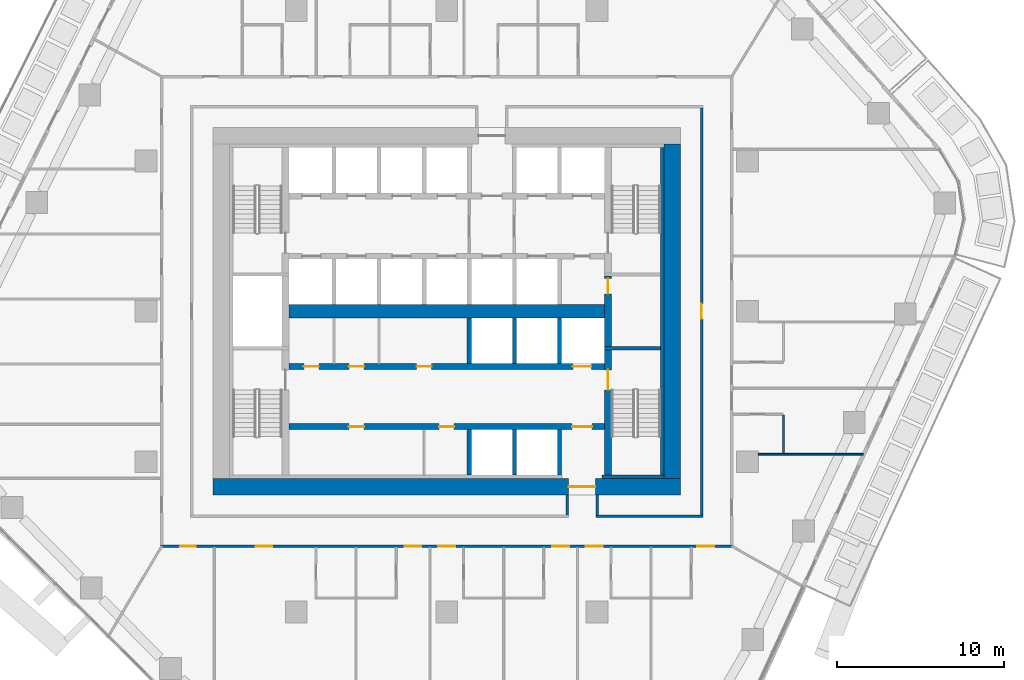
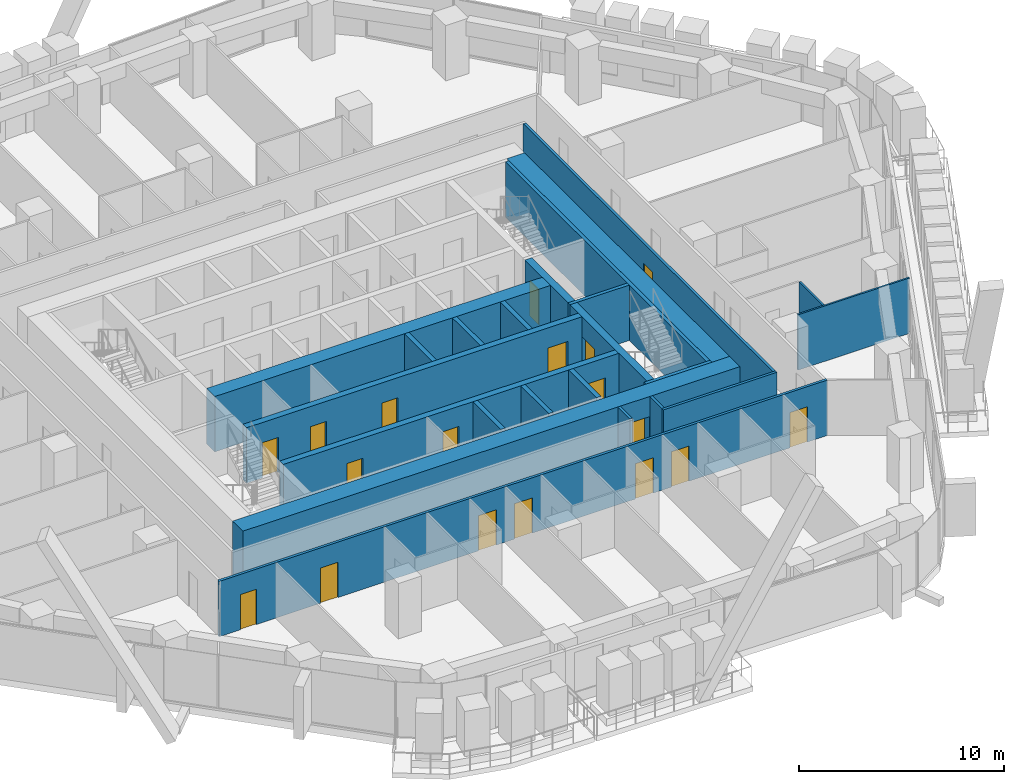
# One storey, part 13 of 25: 23 walls, 18 doors, 18 openings.
"""IFC4 building model written with IfcOpenShell, lengths in metres."""

from ifc_helpers import new_model, si_unit, direction, frame, frame_2d, origin, place, context, subcontext, project, spatial, rectangle, extrude, material, layer, layer_set, type_object, element, fill, save


model = new_model("IFC4")

# Units and contexts
model_context = context("Model", 3, precision=1e-05, world=origin(), true_north=direction((0.0, 1.0)))
body_context = subcontext(model_context, "Body", "Model", "MODEL_VIEW")
ifc_project = project(units=[si_unit("LENGTHUNIT", "METRE"), si_unit("AREAUNIT", "SQUARE_METRE"), si_unit("VOLUMEUNIT", "CUBIC_METRE"), si_unit("PLANEANGLEUNIT", "RADIAN"), si_unit("MASSUNIT", "GRAM", prefix="KILO")], contexts=[model_context])

# Site, building, storey
site_placement = place(None, origin())
site = spatial("IfcSite", under=ifc_project, at=site_placement, CompositionType="ELEMENT")
building_placement = place(site_placement, origin())
building = spatial("IfcBuilding", under=site, at=building_placement, Name="Dongbaek Canopy Tower", CompositionType="ELEMENT")
storey_placement = place(building_placement, frame((0.0, 0.0, 102.60009765625)))
storey = spatial("IfcBuildingStorey", under=building, at=storey_placement, Name="L21", CompositionType="ELEMENT", Elevation=102.60009765625)

# Wall
ifc_material_1 = material(Name="Concrete C60/75", Category="concrete")
ifc_layer_1 = layer(ifc_material_1, 0.800048828125)
ifc_layer_set_1 = layer_set([ifc_layer_1], Name="Core central wall 800 Concrete C60/75")
wall_type_1 = type_object("IfcWallType", Name="Core central wall 800 Concrete C60/75", PredefinedType="SHEAR", material=ifc_layer_set_1)
wall_1_placement = place(storey_placement, frame((-9.449951171875, 0.0, 0.0), z_axis=(0.0, 0.0, 1.0), x_axis=(1.0, 0.0, 0.0)))
element("IfcWall", 1, at=wall_1_placement, inside=storey, type_object=wall_type_1, Name="Core wall", PredefinedType="SHEAR", context=body_context, shape_type="SweptSolid", body=[
    extrude(rectangle(XDim=18.89990234375, YDim=0.800048828125, at=frame_2d((9.449951171875, 0.0))), origin(), (0.0, 0.0, 1.0), 3.2998046875),
])

# Wall, openings, doors
ifc_material_2 = material(Name="Concrete C60/75", Category="concrete")
ifc_layer_2 = layer(ifc_material_2, 0.35009765625)
ifc_layer_set_2 = layer_set([ifc_layer_2], Name="Core lobby wall 350 Concrete C60/75")
wall_type_2 = type_object("IfcWallType", Name="Core lobby wall 350 Concrete C60/75", PredefinedType="SHEAR", material=ifc_layer_set_2)
wall_2_placement = place(storey_placement, frame((-9.449951171875, -3.300048828125, 0.0), z_axis=(0.0, 0.0, 1.0), x_axis=(1.0, 0.0, 0.0)))
wall_2 = element("IfcWall", 2, at=wall_2_placement, inside=storey, type_object=wall_type_2, Name="Core wall", PredefinedType="SHEAR", context=body_context, shape_type="SweptSolid", body=[
    extrude(rectangle(XDim=18.89990234375, YDim=0.35009765625, at=frame_2d((9.449951171875, 0.0))), origin(), (0.0, 0.0, 1.0), 3.2998046875),
])
opening_1_placement = place(wall_2_placement, frame((17.0, 0.0, 0.0)))
opening_1 = element("IfcOpeningElement", 3, at=opening_1_placement, cuts=wall_2, Name="Opening L21-D057", PredefinedType="OPENING", context=body_context, shape_type="SweptSolid", body=[
    extrude(rectangle(XDim=1.10009765625, YDim=2.10009765625, at=frame_2d((0.550048828125, 1.050048828125))), frame((0.0, 0.18505859375, 0.0), z_axis=(0.0, -1.0, 0.0), x_axis=(1.0, 0.0, 0.0)), (0.0, 0.0, 1.0), 0.3701171875),
])
opening_2_placement = place(wall_2_placement, frame((0.89990234375, 0.0, 0.0)))
opening_2 = element("IfcOpeningElement", 4, at=opening_2_placement, cuts=wall_2, Name="Opening L21-D060", PredefinedType="OPENING", context=body_context, shape_type="SweptSolid", body=[
    extrude(rectangle(XDim=0.89990234375, YDim=2.10009765625, at=frame_2d((0.449951171875, 1.050048828125))), frame((0.0, 0.18505859375, 0.0), z_axis=(0.0, -1.0, 0.0), x_axis=(1.0, 0.0, 0.0)), (0.0, 0.0, 1.0), 0.3701171875),
])
opening_3_placement = place(wall_2_placement, frame((3.60009765625, 0.0, 0.0)))
opening_3 = element("IfcOpeningElement", 5, at=opening_3_placement, cuts=wall_2, Name="Opening L21-D061", PredefinedType="OPENING", context=body_context, shape_type="SweptSolid", body=[
    extrude(rectangle(XDim=0.89990234375, YDim=2.10009765625, at=frame_2d((0.449951171875, 1.050048828125))), frame((0.0, 0.18505859375, 0.0), z_axis=(0.0, -1.0, 0.0), x_axis=(1.0, 0.0, 0.0)), (0.0, 0.0, 1.0), 0.3701171875),
])
opening_4_placement = place(wall_2_placement, frame((7.64990234375, 0.0, 0.0)))
opening_4 = element("IfcOpeningElement", 6, at=opening_4_placement, cuts=wall_2, Name="Opening L21-D062", PredefinedType="OPENING", context=body_context, shape_type="SweptSolid", body=[
    extrude(rectangle(XDim=0.89990234375, YDim=2.10009765625, at=frame_2d((0.449951171875, 1.050048828125))), frame((0.0, 0.18505859375, 0.0), z_axis=(0.0, -1.0, 0.0), x_axis=(1.0, 0.0, 0.0)), (0.0, 0.0, 1.0), 0.3701171875),
])
ifc_material_3 = material(Name="Steel", Category="steel")
door_type_1 = type_object("IfcDoorType", Name="Core room door 900 x 2100", OperationType="SINGLE_SWING_LEFT", PredefinedType="DOOR", material=ifc_material_3)
door_1_placement = place(opening_2_placement, origin())
door_1 = element("IfcDoor", 7, at=door_1_placement, inside=storey, type_object=door_type_1, Name="Door L21-D060", OperationType="SINGLE_SWING_RIGHT", OverallHeight=2.10009765625, OverallWidth=0.89990234375, PredefinedType="DOOR", context=body_context, shape_type="SweptSolid", body=[
    extrude(rectangle(XDim=0.89990234375, YDim=2.10009765625, at=frame_2d((0.449951171875, 1.050048828125))), frame((0.0, 0.02490234375, 0.0), z_axis=(0.0, -1.0, 0.0), x_axis=(1.0, 0.0, 0.0)), (0.0, 0.0, 1.0), 0.050048828125),
])
fill(opening_2, door_1)
door_2_placement = place(opening_3_placement, origin())
door_2 = element("IfcDoor", 8, at=door_2_placement, inside=storey, type_object=door_type_1, Name="Door L21-D061", OperationType="SINGLE_SWING_LEFT", OverallHeight=2.10009765625, OverallWidth=0.89990234375, PredefinedType="DOOR", context=body_context, shape_type="SweptSolid", body=[
    extrude(rectangle(XDim=0.89990234375, YDim=2.10009765625, at=frame_2d((0.449951171875, 1.050048828125))), frame((0.0, 0.02490234375, 0.0), z_axis=(0.0, -1.0, 0.0), x_axis=(1.0, 0.0, 0.0)), (0.0, 0.0, 1.0), 0.050048828125),
])
fill(opening_3, door_2)
door_3_placement = place(opening_4_placement, origin())
door_3 = element("IfcDoor", 9, at=door_3_placement, inside=storey, type_object=door_type_1, Name="Door L21-D062", OperationType="SINGLE_SWING_RIGHT", OverallHeight=2.10009765625, OverallWidth=0.89990234375, PredefinedType="DOOR", context=body_context, shape_type="SweptSolid", body=[
    extrude(rectangle(XDim=0.89990234375, YDim=2.10009765625, at=frame_2d((0.449951171875, 1.050048828125))), frame((0.0, 0.02490234375, 0.0), z_axis=(0.0, -1.0, 0.0), x_axis=(1.0, 0.0, 0.0)), (0.0, 0.0, 1.0), 0.050048828125),
])
fill(opening_4, door_3)
ifc_material_4 = material(Name="Stainless steel", Category="steel")
door_type_2 = type_object("IfcDoorType", Name="Lift landing door 1100 x 2100", OperationType="DOUBLE_DOOR_SLIDING", PredefinedType="DOOR", material=ifc_material_4)
door_4_placement = place(opening_1_placement, origin())
door_4 = element("IfcDoor", 10, at=door_4_placement, inside=storey, type_object=door_type_2, Name="Landing door SV2", OperationType="DOUBLE_DOOR_SLIDING", OverallHeight=2.10009765625, OverallWidth=1.10009765625, PredefinedType="DOOR", context=body_context, shape_type="SweptSolid", body=[
    extrude(rectangle(XDim=1.10009765625, YDim=2.10009765625, at=frame_2d((0.550048828125, 1.050048828125))), frame((0.0, 0.02490234375, 0.0), z_axis=(0.0, -1.0, 0.0), x_axis=(1.0, 0.0, 0.0)), (0.0, 0.0, 1.0), 0.050048828125),
])
fill(opening_1, door_4)

wall_3_placement = place(storey_placement, frame((9.449951171875, -6.89990234375, 0.0), z_axis=(0.0, 0.0, 1.0), x_axis=(-1.0, 0.0, 0.0)))
wall_3 = element("IfcWall", 11, at=wall_3_placement, inside=storey, type_object=wall_type_2, Name="Core wall", PredefinedType="SHEAR", context=body_context, shape_type="SweptSolid", body=[
    extrude(rectangle(XDim=18.89990234375, YDim=0.35009765625, at=frame_2d((9.449951171875, 0.0))), origin(), (0.0, 0.0, 1.0), 3.2998046875),
])
opening_5_placement = place(wall_3_placement, frame((0.75, 0.0, 0.0)))
opening_5 = element("IfcOpeningElement", 12, at=opening_5_placement, cuts=wall_3, Name="Opening L21-D059", PredefinedType="OPENING", context=body_context, shape_type="SweptSolid", body=[
    extrude(rectangle(XDim=1.199951171875, YDim=2.10009765625, at=frame_2d((0.60009765625, 1.050048828125))), frame((0.0, 0.18505859375, 0.0), z_axis=(0.0, -1.0, 0.0), x_axis=(1.0, 0.0, 0.0)), (0.0, 0.0, 1.0), 0.3701171875),
])
opening_6_placement = place(wall_3_placement, frame((14.39990234375, 0.0, 0.0)))
opening_6 = element("IfcOpeningElement", 13, at=opening_6_placement, cuts=wall_3, Name="Opening L21-D063", PredefinedType="OPENING", context=body_context, shape_type="SweptSolid", body=[
    extrude(rectangle(XDim=0.89990234375, YDim=2.10009765625, at=frame_2d((0.449951171875, 1.050048828125))), frame((0.0, 0.18505859375, 0.0), z_axis=(0.0, -1.0, 0.0), x_axis=(1.0, 0.0, 0.0)), (0.0, 0.0, 1.0), 0.3701171875),
])
opening_7_placement = place(wall_3_placement, frame((9.0, 0.0, 0.0)))
opening_7 = element("IfcOpeningElement", 14, at=opening_7_placement, cuts=wall_3, Name="Opening L21-D064", PredefinedType="OPENING", context=body_context, shape_type="SweptSolid", body=[
    extrude(rectangle(XDim=0.89990234375, YDim=2.10009765625, at=frame_2d((0.449951171875, 1.050048828125))), frame((0.0, 0.18505859375, 0.0), z_axis=(0.0, -1.0, 0.0), x_axis=(1.0, 0.0, 0.0)), (0.0, 0.0, 1.0), 0.3701171875),
])
door_5_placement = place(opening_6_placement, origin())
door_5 = element("IfcDoor", 15, at=door_5_placement, inside=storey, type_object=door_type_1, Name="Door L21-D063", OperationType="SINGLE_SWING_LEFT", OverallHeight=2.10009765625, OverallWidth=0.89990234375, PredefinedType="DOOR", context=body_context, shape_type="SweptSolid", body=[
    extrude(rectangle(XDim=0.89990234375, YDim=2.10009765625, at=frame_2d((0.449951171875, 1.050048828125))), frame((0.0, 0.02490234375, 0.0), z_axis=(0.0, -1.0, 0.0), x_axis=(1.0, 0.0, 0.0)), (0.0, 0.0, 1.0), 0.050048828125),
])
fill(opening_6, door_5)
door_6_placement = place(opening_7_placement, origin())
door_6 = element("IfcDoor", 16, at=door_6_placement, inside=storey, type_object=door_type_1, Name="Door L21-D064", OperationType="SINGLE_SWING_RIGHT", OverallHeight=2.10009765625, OverallWidth=0.89990234375, PredefinedType="DOOR", context=body_context, shape_type="SweptSolid", body=[
    extrude(rectangle(XDim=0.89990234375, YDim=2.10009765625, at=frame_2d((0.449951171875, 1.050048828125))), frame((0.0, 0.02490234375, 0.0), z_axis=(0.0, -1.0, 0.0), x_axis=(1.0, 0.0, 0.0)), (0.0, 0.0, 1.0), 0.050048828125),
])
fill(opening_7, door_6)
ifc_material_5 = material(Name="Steel", Category="steel")
door_type_3 = type_object("IfcDoorType", Name="Fire lobby door 1200 x 2100", OperationType="SINGLE_SWING_LEFT", PredefinedType="DOOR", material=ifc_material_5)
door_7_placement = place(opening_5_placement, origin())
door_7 = element("IfcDoor", 17, at=door_7_placement, inside=storey, type_object=door_type_3, Name="Door L21-D059", OperationType="SINGLE_SWING_LEFT", OverallHeight=2.10009765625, OverallWidth=1.199951171875, PredefinedType="DOOR", context=body_context, shape_type="SweptSolid", body=[
    extrude(rectangle(XDim=1.199951171875, YDim=2.10009765625, at=frame_2d((0.60009765625, 1.050048828125))), frame((0.0, 0.02490234375, 0.0), z_axis=(0.0, -1.0, 0.0), x_axis=(1.0, 0.0, 0.0)), (0.0, 0.0, 1.0), 0.050048828125),
])
fill(opening_5, door_7)

# Wall, opening, door
ifc_material_6 = material(Name="Concrete C60/75", Category="concrete")
ifc_layer_3 = layer(ifc_material_6, 1.0)
ifc_layer_set_3 = layer_set([ifc_layer_3], Name="Core outer wall 1000 Concrete C60/75")
wall_type_3 = type_object("IfcWallType", Name="Core outer wall 1000 Concrete C60/75", PredefinedType="SHEAR", material=ifc_layer_set_3)
wall_4_placement = place(storey_placement, frame((14.0, -10.5, 0.0), z_axis=(0.0, 0.0, 1.0), x_axis=(-1.0, 0.0, 0.0)))
wall_4 = element("IfcWall", 18, at=wall_4_placement, inside=storey, type_object=wall_type_3, Name="Core wall", PredefinedType="SHEAR", context=body_context, shape_type="SweptSolid", body=[
    extrude(rectangle(XDim=28.0, YDim=1.0, at=frame_2d((14.0, 0.0))), origin(), (0.0, 0.0, 1.0), 3.2998046875),
])
opening_8_placement = place(wall_4_placement, frame((5.10009765625, 0.0, 0.0)))
opening_8 = element("IfcOpeningElement", 19, at=opening_8_placement, cuts=wall_4, Name="Opening L21-D058", PredefinedType="OPENING", context=body_context, shape_type="SweptSolid", body=[
    extrude(rectangle(XDim=1.60009765625, YDim=2.10009765625, at=frame_2d((0.800048828125, 1.050048828125))), frame((0.0, 0.510009765625, 0.0), z_axis=(0.0, -1.0, 0.0), x_axis=(1.0, 0.0, 0.0)), (0.0, 0.0, 1.0), 1.02001953125),
])
ifc_material_7 = material(Name="Steel", Category="steel")
door_type_4 = type_object("IfcDoorType", Name="Core exit door 1600 x 2100", OperationType="DOUBLE_DOOR_SINGLE_SWING", PredefinedType="DOOR", material=ifc_material_7)
door_8_placement = place(opening_8_placement, origin())
door_8 = element("IfcDoor", 20, at=door_8_placement, inside=storey, type_object=door_type_4, Name="Core exit door", OperationType="DOUBLE_DOOR_SINGLE_SWING", OverallHeight=2.10009765625, OverallWidth=1.60009765625, PredefinedType="DOOR", context=body_context, shape_type="SweptSolid", body=[
    extrude(rectangle(XDim=1.60009765625, YDim=2.10009765625, at=frame_2d((0.800048828125, 1.050048828125))), frame((0.0, 0.02490234375, 0.0), z_axis=(0.0, -1.0, 0.0), x_axis=(1.0, 0.0, 0.0)), (0.0, 0.0, 1.0), 0.050048828125),
])
fill(opening_8, door_8)

# Walls
wall_5_placement = place(storey_placement, frame((13.5, 10.0, 0.0), z_axis=(0.0, 0.0, 1.0), x_axis=(0.0, -1.0, 0.0)))
element("IfcWall", 21, at=wall_5_placement, inside=storey, type_object=wall_type_3, Name="Core wall", PredefinedType="SHEAR", context=body_context, shape_type="SweptSolid", body=[
    extrude(rectangle(XDim=20.0, YDim=1.0, at=frame_2d((10.0, 0.0))), origin(), (0.0, 0.0, 1.0), 3.2998046875),
])
ifc_material_8 = material(Name="Concrete C60/75", Category="concrete")
ifc_layer_4 = layer(ifc_material_8, 0.199951171875)
ifc_layer_set_4 = layer_set([ifc_layer_4], Name="Core wall lining 200 Concrete C60/75")
wall_type_4 = type_object("IfcWallType", Name="Core wall lining 200 Concrete C60/75", PredefinedType="SHEAR", material=ifc_layer_set_4)
wall_6_placement = place(storey_placement, frame((13.0, -9.89990234375, 0.0), z_axis=(0.0, 0.0, 1.0), x_axis=(-1.0, 0.0, 0.0)))
element("IfcWall", 22, at=wall_6_placement, inside=storey, type_object=wall_type_4, Name="Core wall lining", PredefinedType="SHEAR", context=body_context, shape_type="SweptSolid", body=[
    extrude(rectangle(XDim=3.699951171875, YDim=0.199951171875, at=frame_2d((1.85009765625, 0.0))), origin(), (0.0, 0.0, 1.0), 3.2998046875),
])
wall_7_placement = place(storey_placement, frame((12.89990234375, 9.800048828125, 0.0), z_axis=(0.0, 0.0, 1.0), x_axis=(0.0, -1.0, 0.0)))
element("IfcWall", 23, at=wall_7_placement, inside=storey, type_object=wall_type_4, Name="Core wall lining", PredefinedType="SHEAR", context=body_context, shape_type="SweptSolid", body=[
    extrude(rectangle(XDim=19.60009765625, YDim=0.199951171875, at=frame_2d((9.800048828125, 0.0))), origin(), (0.0, 0.0, 1.0), 3.2998046875),
])

# Wall, openings, doors
ifc_material_9 = material(Name="Gypsum board partition, steel stud, 2 x 15 mm fire board", Category="steel")
ifc_layer_5 = layer(ifc_material_9, 0.14990234375)
ifc_layer_set_5 = layer_set([ifc_layer_5], Name="Fire-rated partition 150 gypsum board")
wall_type_5 = type_object("IfcWallType", Name="Fire-rated partition 150 gypsum board", PredefinedType="PARTITIONING", material=ifc_layer_set_5)
wall_8_placement = place(storey_placement, frame((17.125, -14.050048828125, 0.0), z_axis=(0.0, 0.0, 1.0), x_axis=(-1.0, 0.0, 0.0)))
wall_8 = element("IfcWall", 24, at=wall_8_placement, inside=storey, type_object=wall_type_5, Name="Corridor partition", PredefinedType="PARTITIONING", context=body_context, shape_type="SweptSolid", body=[
    extrude(rectangle(XDim=34.25, YDim=0.14990234375, at=frame_2d((17.125, 0.0))), origin(), (0.0, 0.0, 1.0), 3.2998046875),
])
opening_9_placement = place(wall_8_placement, frame((32.158203125, 0.0, 0.0)))
opening_9 = element("IfcOpeningElement", 25, at=opening_9_placement, cuts=wall_8, Name="Opening L21-D004", PredefinedType="OPENING", context=body_context, shape_type="SweptSolid", body=[
    extrude(rectangle(XDim=0.89990234375, YDim=2.10009765625, at=frame_2d((0.449951171875, 1.050048828125))), frame((0.0, 0.0849609375, 0.0), z_axis=(0.0, -1.0, 0.0), x_axis=(1.0, 0.0, 0.0)), (0.0, 0.0, 1.0), 0.169921875),
])
opening_10_placement = place(wall_8_placement, frame((27.560791015625, 0.0, 0.0)))
opening_10 = element("IfcOpeningElement", 26, at=opening_10_placement, cuts=wall_8, Name="Opening L21-D006", PredefinedType="OPENING", context=body_context, shape_type="SweptSolid", body=[
    extrude(rectangle(XDim=1.0, YDim=2.10009765625, at=frame_2d((0.5, 1.050048828125))), frame((0.0, 0.0849609375, 0.0), z_axis=(0.0, -1.0, 0.0), x_axis=(1.0, 0.0, 0.0)), (0.0, 0.0, 1.0), 0.169921875),
])
opening_11_placement = place(wall_8_placement, frame((18.640380859375, 0.0, 0.0)))
opening_11 = element("IfcOpeningElement", 27, at=opening_11_placement, cuts=wall_8, Name="Opening L21-D008", PredefinedType="OPENING", context=body_context, shape_type="SweptSolid", body=[
    extrude(rectangle(XDim=1.0, YDim=2.10009765625, at=frame_2d((0.5, 1.050048828125))), frame((0.0, 0.0849609375, 0.0), z_axis=(0.0, -1.0, 0.0), x_axis=(1.0, 0.0, 0.0)), (0.0, 0.0, 1.0), 0.169921875),
])
opening_12_placement = place(wall_8_placement, frame((16.62353515625, 0.0, 0.0)))
opening_12 = element("IfcOpeningElement", 28, at=opening_12_placement, cuts=wall_8, Name="Opening L21-D010", PredefinedType="OPENING", context=body_context, shape_type="SweptSolid", body=[
    extrude(rectangle(XDim=1.0, YDim=2.10009765625, at=frame_2d((0.5, 1.050048828125))), frame((0.0, 0.0849609375, 0.0), z_axis=(0.0, -1.0, 0.0), x_axis=(1.0, 0.0, 0.0)), (0.0, 0.0, 1.0), 0.169921875),
])
opening_13_placement = place(wall_8_placement, frame((9.806640625, 0.0, 0.0)))
opening_13 = element("IfcOpeningElement", 29, at=opening_13_placement, cuts=wall_8, Name="Opening L21-D012", PredefinedType="OPENING", context=body_context, shape_type="SweptSolid", body=[
    extrude(rectangle(XDim=1.0, YDim=2.10009765625, at=frame_2d((0.5, 1.050048828125))), frame((0.0, 0.0849609375, 0.0), z_axis=(0.0, -1.0, 0.0), x_axis=(1.0, 0.0, 0.0)), (0.0, 0.0, 1.0), 0.169921875),
])
opening_14_placement = place(wall_8_placement, frame((7.794677734375, 0.0, 0.0)))
opening_14 = element("IfcOpeningElement", 30, at=opening_14_placement, cuts=wall_8, Name="Opening L21-D014", PredefinedType="OPENING", context=body_context, shape_type="SweptSolid", body=[
    extrude(rectangle(XDim=1.0, YDim=2.10009765625, at=frame_2d((0.5, 1.050048828125))), frame((0.0, 0.0849609375, 0.0), z_axis=(0.0, -1.0, 0.0), x_axis=(1.0, 0.0, 0.0)), (0.0, 0.0, 1.0), 0.169921875),
])
opening_15_placement = place(wall_8_placement, frame((1.119384765625, 0.0, 0.0)))
opening_15 = element("IfcOpeningElement", 31, at=opening_15_placement, cuts=wall_8, Name="Opening L21-D016", PredefinedType="OPENING", context=body_context, shape_type="SweptSolid", body=[
    extrude(rectangle(XDim=1.0, YDim=2.10009765625, at=frame_2d((0.5, 1.050048828125))), frame((0.0, 0.0849609375, 0.0), z_axis=(0.0, -1.0, 0.0), x_axis=(1.0, 0.0, 0.0)), (0.0, 0.0, 1.0), 0.169921875),
])
ifc_material_10 = material(Name="Timber veneered door leaf", Category="wood")
door_type_5 = type_object("IfcDoorType", Name="Guest room door 1000 x 2100", OperationType="SINGLE_SWING_LEFT", PredefinedType="DOOR", material=ifc_material_10)
door_9_placement = place(opening_10_placement, origin())
door_9 = element("IfcDoor", 32, at=door_9_placement, inside=storey, type_object=door_type_5, Name="Door L21-D006", OperationType="SINGLE_SWING_LEFT", OverallHeight=2.10009765625, OverallWidth=1.0, PredefinedType="DOOR", context=body_context, shape_type="SweptSolid", body=[
    extrude(rectangle(XDim=1.0, YDim=2.10009765625, at=frame_2d((0.5, 1.050048828125))), frame((0.0, 0.02490234375, 0.0), z_axis=(0.0, -1.0, 0.0), x_axis=(1.0, 0.0, 0.0)), (0.0, 0.0, 1.0), 0.050048828125),
])
fill(opening_10, door_9)
door_10_placement = place(opening_11_placement, origin())
door_10 = element("IfcDoor", 33, at=door_10_placement, inside=storey, type_object=door_type_5, Name="Door L21-D008", OperationType="SINGLE_SWING_RIGHT", OverallHeight=2.10009765625, OverallWidth=1.0, PredefinedType="DOOR", context=body_context, shape_type="SweptSolid", body=[
    extrude(rectangle(XDim=1.0, YDim=2.10009765625, at=frame_2d((0.5, 1.050048828125))), frame((0.0, 0.02490234375, 0.0), z_axis=(0.0, -1.0, 0.0), x_axis=(1.0, 0.0, 0.0)), (0.0, 0.0, 1.0), 0.050048828125),
])
fill(opening_11, door_10)
door_11_placement = place(opening_12_placement, origin())
door_11 = element("IfcDoor", 34, at=door_11_placement, inside=storey, type_object=door_type_5, Name="Door L21-D010", OperationType="SINGLE_SWING_LEFT", OverallHeight=2.10009765625, OverallWidth=1.0, PredefinedType="DOOR", context=body_context, shape_type="SweptSolid", body=[
    extrude(rectangle(XDim=1.0, YDim=2.10009765625, at=frame_2d((0.5, 1.050048828125))), frame((0.0, 0.02490234375, 0.0), z_axis=(0.0, -1.0, 0.0), x_axis=(1.0, 0.0, 0.0)), (0.0, 0.0, 1.0), 0.050048828125),
])
fill(opening_12, door_11)
door_12_placement = place(opening_13_placement, origin())
door_12 = element("IfcDoor", 35, at=door_12_placement, inside=storey, type_object=door_type_5, Name="Door L21-D012", OperationType="SINGLE_SWING_RIGHT", OverallHeight=2.10009765625, OverallWidth=1.0, PredefinedType="DOOR", context=body_context, shape_type="SweptSolid", body=[
    extrude(rectangle(XDim=1.0, YDim=2.10009765625, at=frame_2d((0.5, 1.050048828125))), frame((0.0, 0.02490234375, 0.0), z_axis=(0.0, -1.0, 0.0), x_axis=(1.0, 0.0, 0.0)), (0.0, 0.0, 1.0), 0.050048828125),
])
fill(opening_13, door_12)
door_13_placement = place(opening_14_placement, origin())
door_13 = element("IfcDoor", 36, at=door_13_placement, inside=storey, type_object=door_type_5, Name="Door L21-D014", OperationType="SINGLE_SWING_LEFT", OverallHeight=2.10009765625, OverallWidth=1.0, PredefinedType="DOOR", context=body_context, shape_type="SweptSolid", body=[
    extrude(rectangle(XDim=1.0, YDim=2.10009765625, at=frame_2d((0.5, 1.050048828125))), frame((0.0, 0.02490234375, 0.0), z_axis=(0.0, -1.0, 0.0), x_axis=(1.0, 0.0, 0.0)), (0.0, 0.0, 1.0), 0.050048828125),
])
fill(opening_14, door_13)
door_14_placement = place(opening_15_placement, origin())
door_14 = element("IfcDoor", 37, at=door_14_placement, inside=storey, type_object=door_type_5, Name="Door L21-D016", OperationType="SINGLE_SWING_RIGHT", OverallHeight=2.10009765625, OverallWidth=1.0, PredefinedType="DOOR", context=body_context, shape_type="SweptSolid", body=[
    extrude(rectangle(XDim=1.0, YDim=2.10009765625, at=frame_2d((0.5, 1.050048828125))), frame((0.0, 0.02490234375, 0.0), z_axis=(0.0, -1.0, 0.0), x_axis=(1.0, 0.0, 0.0)), (0.0, 0.0, 1.0), 0.050048828125),
])
fill(opening_15, door_14)
ifc_material_11 = material(Name="Timber veneered door leaf", Category="wood")
door_type_6 = type_object("IfcDoorType", Name="Room door 900 x 2100", OperationType="SINGLE_SWING_LEFT", PredefinedType="DOOR", material=ifc_material_11)
door_15_placement = place(opening_9_placement, origin())
door_15 = element("IfcDoor", 38, at=door_15_placement, inside=storey, type_object=door_type_6, Name="Door L21-D004", OperationType="SINGLE_SWING_RIGHT", OverallHeight=2.10009765625, OverallWidth=0.89990234375, PredefinedType="DOOR", context=body_context, shape_type="SweptSolid", body=[
    extrude(rectangle(XDim=0.89990234375, YDim=2.10009765625, at=frame_2d((0.449951171875, 1.050048828125))), frame((0.0, 0.02490234375, 0.0), z_axis=(0.0, -1.0, 0.0), x_axis=(1.0, 0.0, 0.0)), (0.0, 0.0, 1.0), 0.050048828125),
])
fill(opening_9, door_15)

# Wall
wall_9_placement = place(storey_placement, frame((8.925048828125, -12.25, 0.0), z_axis=(0.0, 0.0, 1.0), x_axis=(1.0, 0.0, 0.0)))
element("IfcWall", 39, at=wall_9_placement, inside=storey, type_object=wall_type_5, Name="Corridor partition", PredefinedType="PARTITIONING", context=body_context, shape_type="SweptSolid", body=[
    extrude(rectangle(XDim=6.39990234375, YDim=0.14990234375, at=frame_2d((3.199951171875, 0.0))), origin(), (0.0, 0.0, 1.0), 3.2998046875),
])

# Wall, opening, door
wall_10_placement = place(storey_placement, frame((15.25, -12.175048828125, 0.0), z_axis=(0.0, 0.0, 1.0), x_axis=(0.0, 1.0, 0.0)))
wall_10 = element("IfcWall", 40, at=wall_10_placement, inside=storey, type_object=wall_type_5, Name="Corridor partition", PredefinedType="PARTITIONING", context=body_context, shape_type="SweptSolid", body=[
    extrude(rectangle(XDim=24.35009765625, YDim=0.14990234375, at=frame_2d((12.175048828125, 0.0))), origin(), (0.0, 0.0, 1.0), 3.2998046875),
])
opening_16_placement = place(wall_10_placement, frame((11.72509765625, 0.0, 0.0)))
opening_16 = element("IfcOpeningElement", 41, at=opening_16_placement, cuts=wall_10, Name="Opening L21-D040", PredefinedType="OPENING", context=body_context, shape_type="SweptSolid", body=[
    extrude(rectangle(XDim=0.89990234375, YDim=2.10009765625, at=frame_2d((0.449951171875, 1.050048828125))), frame((0.0, 0.0849609375, 0.0), z_axis=(0.0, -1.0, 0.0), x_axis=(1.0, 0.0, 0.0)), (0.0, 0.0, 1.0), 0.169921875),
])
door_16_placement = place(opening_16_placement, origin())
door_16 = element("IfcDoor", 42, at=door_16_placement, inside=storey, type_object=door_type_6, Name="Door L21-D040", OperationType="SINGLE_SWING_LEFT", OverallHeight=2.10009765625, OverallWidth=0.89990234375, PredefinedType="DOOR", context=body_context, shape_type="SweptSolid", body=[
    extrude(rectangle(XDim=0.89990234375, YDim=2.10009765625, at=frame_2d((0.449951171875, 1.050048828125))), frame((0.0, 0.02490234375, 0.0), z_axis=(0.0, -1.0, 0.0), x_axis=(1.0, 0.0, 0.0)), (0.0, 0.0, 1.0), 0.050048828125),
])
fill(opening_16, door_16)

# Walls
for number, where, z_axis, x_axis, name in (
    (43, (9.0, -12.175048828125, 0.0), (0.0, 0.0, 1.0), (0.0, 1.0, 0.0), "Corridor partition"),
    (44, (7.199951171875, -12.175048828125, 0.0), (0.0, 0.0, 1.0), (0.0, 1.0, 0.0), "Corridor partition"),
):
    element("IfcWall", number, at=place(storey_placement, frame(where, z_axis=z_axis, x_axis=x_axis)), inside=storey, type_object=wall_type_5, Name=name, PredefinedType="PARTITIONING", context=body_context, shape_type="SweptSolid", body=[
        extrude(rectangle(XDim=1.175048828125, YDim=0.14990234375, at=frame_2d((0.58740234375, 0.0))), origin(), (0.0, 0.0, 1.0), 3.2998046875),
    ])
ifc_material_12 = material(Name="Concrete C40/50", Category="concrete")
ifc_layer_6 = layer(ifc_material_12, 0.25)
ifc_layer_set_6 = layer_set([ifc_layer_6], Name="Lift shaft wall 250 Concrete C40/50")
wall_type_6 = type_object("IfcWallType", Name="Lift shaft wall 250 Concrete C40/50", PredefinedType="SOLIDWALL", material=ifc_layer_set_6)
for number, where, z_axis, x_axis, name in (
    (45, (6.75, -9.800048828125, 0.0), (0.0, 0.0, 1.0), (0.0, 1.0, 0.0), "Lift shaft wall"),
    (46, (6.75, -3.125, 0.0), (0.0, 0.0, 1.0), (0.0, 1.0, 0.0), "Lift shaft wall"),
    (47, (4.050048828125, -9.800048828125, 0.0), (0.0, 0.0, 1.0), (0.0, 1.0, 0.0), "Lift shaft wall"),
    (48, (4.050048828125, -3.125, 0.0), (0.0, 0.0, 1.0), (0.0, 1.0, 0.0), "Lift shaft wall"),
    (49, (1.35009765625, -9.800048828125, 0.0), (0.0, 0.0, 1.0), (0.0, 1.0, 0.0), "Lift shaft wall"),
    (50, (1.35009765625, -3.125, 0.0), (0.0, 0.0, 1.0), (0.0, 1.0, 0.0), "Lift shaft wall"),
):
    element("IfcWall", number, at=place(storey_placement, frame(where, z_axis=z_axis, x_axis=x_axis)), inside=storey, type_object=wall_type_6, Name=name, PredefinedType="SOLIDWALL", context=body_context, shape_type="SweptSolid", body=[
        extrude(rectangle(XDim=2.72509765625, YDim=0.25, at=frame_2d((1.362548828125, 0.0))), origin(), (0.0, 0.0, 1.0), 3.2998046875),
    ])
ifc_material_13 = material(Name="Gypsum board partition, steel stud, 2 x 12.5 mm board", Category="steel")
ifc_layer_7 = layer(ifc_material_13, 0.10009765625)
ifc_layer_set_7 = layer_set([ifc_layer_7], Name="Partition 100 gypsum board")
wall_type_7 = type_object("IfcWallType", Name="Partition 100 gypsum board", PredefinedType="PARTITIONING", material=ifc_layer_set_7)
wall_11_placement = place(storey_placement, frame((18.64990234375, -8.556884765625, 0.0), z_axis=(0.0, 0.0, 1.0), x_axis=(1.0, 0.0, 0.0)))
element("IfcWall", 51, at=wall_11_placement, inside=storey, type_object=wall_type_7, Name="Partition", PredefinedType="PARTITIONING", context=body_context, shape_type="SweptSolid", body=[
    extrude(rectangle(XDim=6.288330078125, YDim=0.10009765625, at=frame_2d((3.14404296875, 0.0))), origin(), (0.0, 0.0, 1.0), 3.2998046875),
])
wall_12_placement = place(storey_placement, frame((20.14990234375, -8.5068359375, 0.0), z_axis=(0.0, 0.0, 1.0), x_axis=(0.0, 1.0, 0.0)))
element("IfcWall", 52, at=wall_12_placement, inside=storey, type_object=wall_type_7, Name="Partition", PredefinedType="PARTITIONING", context=body_context, shape_type="SweptSolid", body=[
    extrude(rectangle(XDim=2.300048828125, YDim=0.10009765625, at=frame_2d((1.14990234375, 0.0))), origin(), (0.0, 0.0, 1.0), 3.2998046875),
])
ifc_material_14 = material(Name="Concrete C60/75", Category="concrete")
ifc_layer_8 = layer(ifc_material_14, 0.199951171875)
ifc_layer_set_8 = layer_set([ifc_layer_8], Name="Riser wall 200 Concrete C60/75")
wall_type_8 = type_object("IfcWallType", Name="Riser wall 200 Concrete C60/75", PredefinedType="SHEAR", material=ifc_layer_set_8)
wall_13_placement = place(storey_placement, frame((9.449951171875, -2.199951171875, 0.0), z_axis=(0.0, 0.0, 1.0), x_axis=(1.0, 0.0, 0.0)))
element("IfcWall", 53, at=wall_13_placement, inside=storey, type_object=wall_type_8, Name="Riser wall", PredefinedType="SHEAR", context=body_context, shape_type="SweptSolid", body=[
    extrude(rectangle(XDim=3.35009765625, YDim=0.199951171875, at=frame_2d((1.675048828125, 0.0))), origin(), (0.0, 0.0, 1.0), 3.2998046875),
])

# Wall, opening, door
ifc_material_15 = material(Name="Concrete C60/75", Category="concrete")
ifc_layer_9 = layer(ifc_material_15, 0.39990234375)
ifc_layer_set_9 = layer_set([ifc_layer_9], Name="Stair wall 400 Concrete C60/75")
wall_type_9 = type_object("IfcWallType", Name="Stair wall 400 Concrete C60/75", PredefinedType="SHEAR", material=ifc_layer_set_9)
wall_14_placement = place(storey_placement, frame((9.64990234375, -2.300048828125, 0.0), z_axis=(0.0, 0.0, 1.0), x_axis=(0.0, -1.0, 0.0)))
wall_14 = element("IfcWall", 54, at=wall_14_placement, inside=storey, type_object=wall_type_9, Name="Stair wall", PredefinedType="SHEAR", context=body_context, shape_type="SweptSolid", body=[
    extrude(rectangle(XDim=7.5, YDim=0.39990234375, at=frame_2d((3.75, 0.0))), origin(), (0.0, 0.0, 1.0), 3.2998046875),
])
opening_17_placement = place(wall_14_placement, frame((1.199951171875, 0.0, 0.0)))
opening_17 = element("IfcOpeningElement", 55, at=opening_17_placement, cuts=wall_14, Name="Opening L21-D067", PredefinedType="OPENING", context=body_context, shape_type="SweptSolid", body=[
    extrude(rectangle(XDim=1.199951171875, YDim=2.10009765625, at=frame_2d((0.60009765625, 1.050048828125))), frame((0.0, 0.2099609375, 0.0), z_axis=(0.0, -1.0, 0.0), x_axis=(1.0, 0.0, 0.0)), (0.0, 0.0, 1.0), 0.419921875),
])
ifc_material_16 = material(Name="Steel", Category="steel")
door_type_7 = type_object("IfcDoorType", Name="Stair door 1200 x 2100", OperationType="SINGLE_SWING_LEFT", PredefinedType="DOOR", material=ifc_material_16)
door_17_placement = place(opening_17_placement, origin())
door_17 = element("IfcDoor", 56, at=door_17_placement, inside=storey, type_object=door_type_7, Name="Stair B door", OperationType="SINGLE_SWING_RIGHT", OverallHeight=2.10009765625, OverallWidth=1.199951171875, PredefinedType="DOOR", context=body_context, shape_type="SweptSolid", body=[
    extrude(rectangle(XDim=1.199951171875, YDim=2.10009765625, at=frame_2d((0.60009765625, 1.050048828125))), frame((0.0, 0.02490234375, 0.0), z_axis=(0.0, -1.0, 0.0), x_axis=(1.0, 0.0, 0.0)), (0.0, 0.0, 1.0), 0.050048828125),
])
fill(opening_17, door_17)

wall_15_placement = place(storey_placement, frame((9.64990234375, 2.10009765625, 0.0), z_axis=(0.0, 0.0, 1.0), x_axis=(0.0, -1.0, 0.0)))
wall_15 = element("IfcWall", 57, at=wall_15_placement, inside=storey, type_object=wall_type_9, Name="Stair wall", PredefinedType="SHEAR", context=body_context, shape_type="SweptSolid", body=[
    extrude(rectangle(XDim=4.2001953125, YDim=0.39990234375, at=frame_2d((2.10009765625, 0.0))), origin(), (0.0, 0.0, 1.0), 3.2998046875),
])
opening_18_placement = place(wall_15_placement, frame((0.14990234375, 0.0, 0.0)))
opening_18 = element("IfcOpeningElement", 58, at=opening_18_placement, cuts=wall_15, Name="Opening L21-D041", PredefinedType="OPENING", context=body_context, shape_type="SweptSolid", body=[
    extrude(rectangle(XDim=0.89990234375, YDim=2.10009765625, at=frame_2d((0.449951171875, 1.050048828125))), frame((0.0, 0.2099609375, 0.0), z_axis=(0.0, -1.0, 0.0), x_axis=(1.0, 0.0, 0.0)), (0.0, 0.0, 1.0), 0.419921875),
])
door_18_placement = place(opening_18_placement, origin())
door_18 = element("IfcDoor", 59, at=door_18_placement, inside=storey, type_object=door_type_1, Name="Door L21-D041", OperationType="SINGLE_SWING_RIGHT", OverallHeight=2.10009765625, OverallWidth=0.89990234375, PredefinedType="DOOR", context=body_context, shape_type="SweptSolid", body=[
    extrude(rectangle(XDim=0.89990234375, YDim=2.10009765625, at=frame_2d((0.449951171875, 1.050048828125))), frame((0.0, 0.02490234375, 0.0), z_axis=(0.0, -1.0, 0.0), x_axis=(1.0, 0.0, 0.0)), (0.0, 0.0, 1.0), 0.050048828125),
])
fill(opening_18, door_18)

save(model, "model.ifc")
